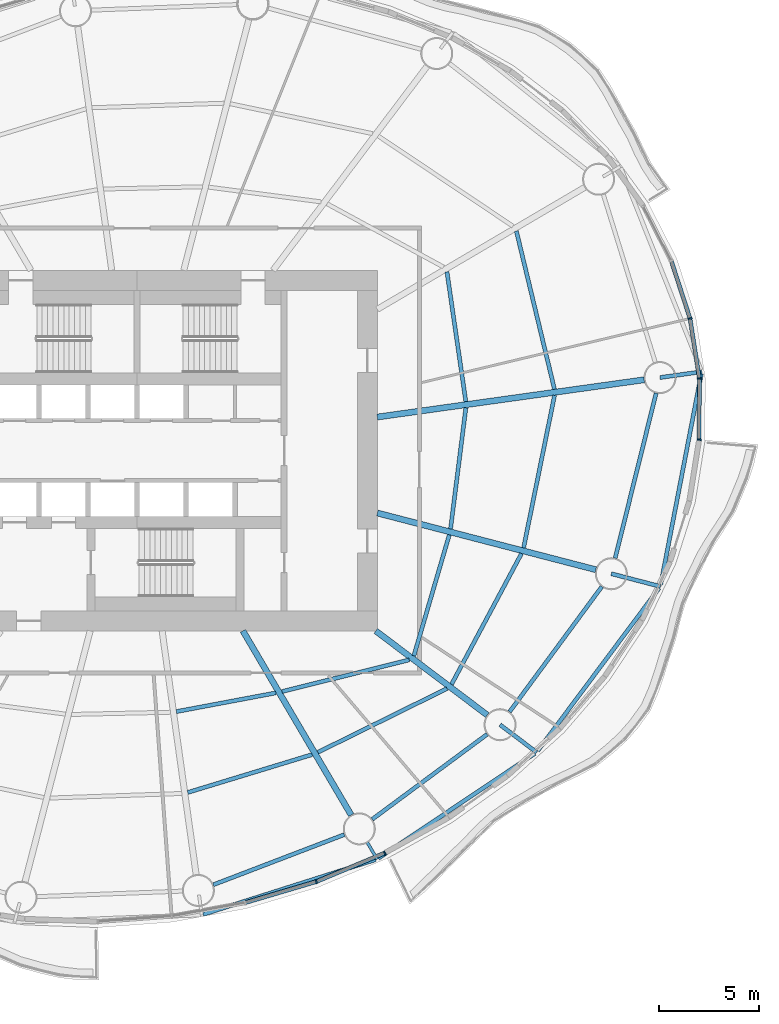
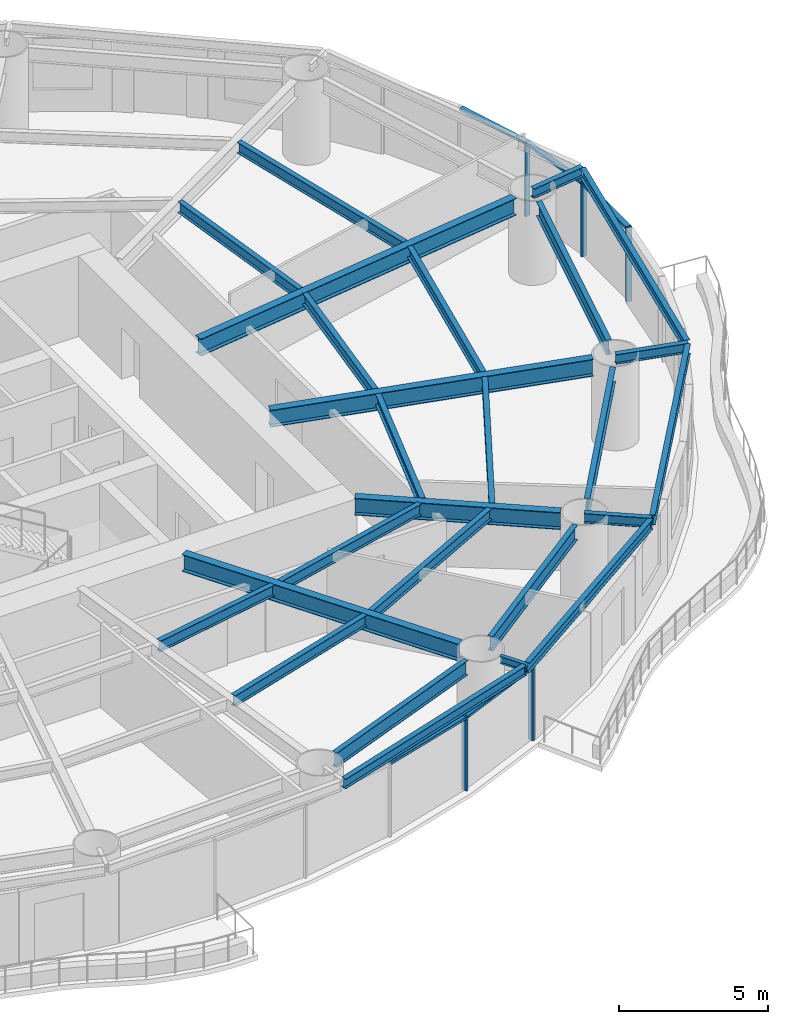
# One storey, part 4 of 16: 26 beams, 10 members, 5 elements without a shape of their own.
"""IFC4 building model written with IfcOpenShell, lengths in metres."""

from ifc_helpers import new_model, si_unit, direction, frame, origin, origin_2d, place, context, subcontext, project, spatial, rectangle, i_section, extrude, material, material_profile, profile_set, type_object, element, aggregate, save


model = new_model("IFC4")

# Units and contexts
model_context = context("Model", 3, precision=1e-05, world=origin(), true_north=direction((0.0, 1.0)))
body_context = subcontext(model_context, "Body", "Model", "MODEL_VIEW")
ifc_project = project(units=[si_unit("LENGTHUNIT", "METRE"), si_unit("AREAUNIT", "SQUARE_METRE"), si_unit("VOLUMEUNIT", "CUBIC_METRE"), si_unit("PLANEANGLEUNIT", "RADIAN"), si_unit("MASSUNIT", "GRAM", prefix="KILO")], contexts=[model_context])

# Site, building, storey
site_placement = place(None, origin())
site = spatial("IfcSite", under=ifc_project, at=site_placement, CompositionType="ELEMENT")
building_placement = place(site_placement, origin())
building = spatial("IfcBuilding", under=site, at=building_placement, Name="Vermilion Reach Broadcast Tower", CompositionType="ELEMENT")
storey_placement = place(building_placement, frame((0.0, 0.0, 88.60009765625)))
storey = spatial("IfcBuildingStorey", under=building, at=storey_placement, Name="L19", CompositionType="ELEMENT", Elevation=88.60009765625)

# Beams
ifc_material_1 = material(Name="Steel S355J2", Category="steel")
ifc_material_profile_1 = material_profile(ifc_material_1, i_section(OverallWidth=0.199951171875, OverallDepth=0.39990234375, WebThickness=0.008056640625, FlangeThickness=0.012939453125, at=origin_2d()), Name="S355J2 HN 400x200x8x13")
ifc_profile_set_1 = profile_set([ifc_material_profile_1], Name="Steel S355J2")
beam_type_1 = type_object("IfcBeamType", Name="EB2 HN 400x200x8x13", PredefinedType="BEAM", material=ifc_profile_set_1)
beam_1_placement = place(storey_placement, frame((-2.69140625, -23.14892578125, 3.25), z_axis=(0.953045019585, 0.302828648983, 0.0), x_axis=(-0.302828648983, 0.953045019585, 0.0)))
element("IfcBeam", 1, at=beam_1_placement, inside=storey, type_object=beam_type_1, Name="Edge beam EB2-12", PredefinedType="BEAM", context=body_context, shape_type="SweptSolid", body=[
    extrude(i_section(OverallWidth=0.199951171875, OverallDepth=0.39990234375, WebThickness=0.008056640625, FlangeThickness=0.012939453125, at=origin_2d()), origin(), (0.0, 0.0, 1.0), 9.029541015625),
])
beam_2_placement = place(storey_placement, frame((6.0498046875, -20.349365234375, 3.25), z_axis=(0.830921863543, 0.556389123443, 0.0), x_axis=(-0.556389123443, 0.830921863543, 0.0)))
element("IfcBeam", 2, at=beam_2_placement, inside=storey, type_object=beam_type_1, Name="Edge beam EB2-13", PredefinedType="BEAM", context=body_context, shape_type="SweptSolid", body=[
    extrude(i_section(OverallWidth=0.199951171875, OverallDepth=0.39990234375, WebThickness=0.008056640625, FlangeThickness=0.012939453125, at=origin_2d()), origin(), (0.0, 0.0, 1.0), 9.400634765625),
])
beam_3_placement = place(storey_placement, frame((14.0087890625, -14.979736328125, 3.25), z_axis=(0.598064758177, 0.801447780599, 0.0), x_axis=(-0.801447780599, 0.598064758177, 0.0)))
element("IfcBeam", 3, at=beam_3_placement, inside=storey, type_object=beam_type_1, Name="Edge beam EB2-14", PredefinedType="BEAM", context=body_context, shape_type="SweptSolid", body=[
    extrude(i_section(OverallWidth=0.199951171875, OverallDepth=0.39990234375, WebThickness=0.008056640625, FlangeThickness=0.012939453125, at=origin_2d()), origin(), (0.0, 0.0, 1.0), 10.121826171875),
])
beam_4_placement = place(storey_placement, frame((20.145751953125, -6.682861328125, 3.25), z_axis=(0.189254914163, 0.981927989959, 0.0), x_axis=(-0.981927989959, 0.189254914163, 0.0)))
element("IfcBeam", 4, at=beam_4_placement, inside=storey, type_object=beam_type_1, Name="Edge beam EB2-15", PredefinedType="BEAM", context=body_context, shape_type="SweptSolid", body=[
    extrude(i_section(OverallWidth=0.199951171875, OverallDepth=0.39990234375, WebThickness=0.008056640625, FlangeThickness=0.012939453125, at=origin_2d()), origin(), (0.0, 0.0, 1.0), 10.709716796875),
])
ifc_material_2 = material(Name="Steel S355J2", Category="steel")
ifc_material_profile_2 = material_profile(ifc_material_2, i_section(OverallWidth=0.300048828125, OverallDepth=0.699951171875, WebThickness=0.012939453125, FlangeThickness=0.02392578125, at=origin_2d()), Name="S355J2 HN 700x300x13x24")
ifc_profile_set_2 = profile_set([ifc_material_profile_2], Name="Steel S355J2")
beam_type_2 = type_object("IfcBeamType", Name="G2 HN 700x300x13x24", PredefinedType="BEAM", material=ifc_profile_set_2)
beam_5_placement = place(storey_placement, frame((-0.709228515625, -9.0, 3.099853515625), z_axis=(0.506783943634, -0.862073102744, 0.0), x_axis=(0.862073102744, 0.506783943634, 0.0)))
element("IfcBeam", 5, at=beam_5_placement, inside=storey, type_object=beam_type_2, Name="Girder G2-13", PredefinedType="BEAM", context=body_context, shape_type="SweptSolid", body=[
    extrude(i_section(OverallWidth=0.300048828125, OverallDepth=0.699951171875, WebThickness=0.012939453125, FlangeThickness=0.02392578125, at=origin_2d()), origin(), (0.0, 0.0, 1.0), 10.661865234375),
])
beam_6_placement = place(storey_placement, frame((5.921630859375, -9.0, 3.099853515625), z_axis=(0.798113534072, -0.602507084382, 0.0), x_axis=(0.602507084382, 0.798113534072, 0.0)))
element("IfcBeam", 6, at=beam_6_placement, inside=storey, type_object=beam_type_2, Name="Girder G2-14", PredefinedType="BEAM", context=body_context, shape_type="SweptSolid", body=[
    extrude(i_section(OverallWidth=0.300048828125, OverallDepth=0.699951171875, WebThickness=0.012939453125, FlangeThickness=0.02392578125, at=origin_2d()), origin(), (0.0, 0.0, 1.0), 6.971923828125),
])
beam_7_placement = place(storey_placement, frame((6.0, -3.114501953125, 3.099853515625), z_axis=(0.967926079816, -0.2512351568, 0.0), x_axis=(0.2512351568, 0.967926079816, 0.0)))
element("IfcBeam", 7, at=beam_7_placement, inside=storey, type_object=beam_type_2, Name="Girder G2-15", PredefinedType="BEAM", context=body_context, shape_type="SweptSolid", body=[
    extrude(i_section(OverallWidth=0.300048828125, OverallDepth=0.699951171875, WebThickness=0.012939453125, FlangeThickness=0.02392578125, at=origin_2d()), origin(), (0.0, 0.0, 1.0), 11.265625),
])
beam_8_placement = place(storey_placement, frame((6.0, 1.67578125, 3.099853515625), z_axis=(0.990389457618, 0.138306623986, 0.0), x_axis=(-0.138306623986, 0.990389457618, 0.0)))
element("IfcBeam", 8, at=beam_8_placement, inside=storey, type_object=beam_type_2, Name="Girder G2-16", PredefinedType="BEAM", context=body_context, shape_type="SweptSolid", body=[
    extrude(i_section(OverallWidth=0.300048828125, OverallDepth=0.699951171875, WebThickness=0.012939453125, FlangeThickness=0.02392578125, at=origin_2d()), origin(), (0.0, 0.0, 1.0), 13.445556640625),
])
ifc_material_3 = material(Name="Steel S355J2", Category="steel")
ifc_material_profile_3 = material_profile(ifc_material_3, i_section(OverallWidth=0.199951171875, OverallDepth=0.39990234375, WebThickness=0.008056640625, FlangeThickness=0.012939453125, at=origin_2d()), Name="S355J2 HN 400x200x8x13")
ifc_profile_set_3 = profile_set([ifc_material_profile_3], Name="Steel S355J2")
beam_type_3 = type_object("IfcBeamType", Name="GC2 HN 400x200x8x13", PredefinedType="BEAM", material=ifc_profile_set_3)
beam_9_placement = place(storey_placement, frame((12.12451171875, -13.6826171875, 3.25), z_axis=(0.798137792915, -0.602474948459, 0.0), x_axis=(0.602474948459, 0.798137792915, 0.0)))
element("IfcBeam", 9, at=beam_9_placement, inside=storey, type_object=beam_type_3, Name="Cantilever girder GC2-14", PredefinedType="BEAM", context=body_context, shape_type="SweptSolid", body=[
    extrude(i_section(OverallWidth=0.199951171875, OverallDepth=0.39990234375, WebThickness=0.008056640625, FlangeThickness=0.012939453125, at=origin_2d()), origin(), (0.0, 0.0, 1.0), 2.285888671875),
])
beam_10_placement = place(storey_placement, frame((17.6787109375, -6.145751953125, 3.25), z_axis=(0.96792303802, -0.251246875545, 0.0), x_axis=(0.251246875545, 0.96792303802, 0.0)))
element("IfcBeam", 10, at=beam_10_placement, inside=storey, type_object=beam_type_3, Name="Cantilever girder GC2-15", PredefinedType="BEAM", context=body_context, shape_type="SweptSolid", body=[
    extrude(i_section(OverallWidth=0.199951171875, OverallDepth=0.39990234375, WebThickness=0.008056640625, FlangeThickness=0.012939453125, at=origin_2d()), origin(), (0.0, 0.0, 1.0), 2.529296875),
])
beam_11_placement = place(storey_placement, frame((20.10888671875, 3.646240234375, 3.25), z_axis=(0.990403787257, 0.138203973125, 0.0), x_axis=(-0.138203973125, 0.990403787257, 0.0)))
element("IfcBeam", 11, at=beam_11_placement, inside=storey, type_object=beam_type_3, Name="Cantilever girder GC2-16", PredefinedType="BEAM", context=body_context, shape_type="SweptSolid", body=[
    extrude(i_section(OverallWidth=0.199951171875, OverallDepth=0.39990234375, WebThickness=0.008056640625, FlangeThickness=0.012939453125, at=origin_2d()), origin(), (0.0, 0.0, 1.0), 2.10400390625),
])
ifc_material_4 = material(Name="Steel S355J2", Category="steel")
ifc_material_profile_4 = material_profile(ifc_material_4, i_section(OverallWidth=0.14990234375, OverallDepth=0.300048828125, WebThickness=0.006591796875, FlangeThickness=0.009033203125, at=origin_2d()), Name="S355J2 HN 300x150x6.5x9")
ifc_profile_set_4 = profile_set([ifc_material_profile_4], Name="Steel S355J2")
beam_type_4 = type_object("IfcBeamType", Name="GS2 HN 300x150x6.5x9", PredefinedType="BEAM", material=ifc_profile_set_4)
beam_12_placement = place(storey_placement, frame((5.480712890625, -19.529052734375, 3.2998046875), z_axis=(0.506539974726, -0.862216477461, 0.0), x_axis=(0.862216477461, 0.506539974726, 0.0)))
element("IfcBeam", 12, at=beam_12_placement, inside=storey, type_object=beam_type_4, Name="Cantilever stub GS2-13", PredefinedType="BEAM", context=body_context, shape_type="SweptSolid", body=[
    extrude(i_section(OverallWidth=0.14990234375, OverallDepth=0.300048828125, WebThickness=0.006591796875, FlangeThickness=0.009033203125, at=origin_2d()), origin(), (0.0, 0.0, 1.0), 1.0),
])
ifc_material_5 = material(Name="Steel S355J2", Category="steel")
ifc_material_profile_5 = material_profile(ifc_material_5, i_section(OverallWidth=0.199951171875, OverallDepth=0.60009765625, WebThickness=0.010986328125, FlangeThickness=0.01708984375, at=origin_2d()), Name="S355J2 HN 600x200x11x17")
ifc_profile_set_5 = profile_set([ifc_material_profile_5], Name="Steel S355J2")
beam_type_5 = type_object("IfcBeamType", Name="RB2 HN 600x200x11x17", PredefinedType="BEAM", material=ifc_profile_set_5)
beam_13_placement = place(storey_placement, frame((-2.186767578125, -21.669677734375, 3.14990234375), z_axis=(0.933939237212, 0.357431813353, 0.0), x_axis=(-0.357431813353, 0.933939237212, 0.0)))
element("IfcBeam", 13, at=beam_13_placement, inside=storey, type_object=beam_type_5, Name="Ring beam RB2-12", PredefinedType="BEAM", context=body_context, shape_type="SweptSolid", body=[
    extrude(i_section(OverallWidth=0.199951171875, OverallDepth=0.60009765625, WebThickness=0.010986328125, FlangeThickness=0.01708984375, at=origin_2d()), origin(), (0.0, 0.0, 1.0), 7.001953125),
])
beam_14_placement = place(storey_placement, frame((5.74267578125, -18.4052734375, 3.14990234375), z_axis=(0.803832742218, 0.594855379515, 0.0), x_axis=(-0.594855379515, 0.803832742218, 0.0)))
element("IfcBeam", 14, at=beam_14_placement, inside=storey, type_object=beam_type_5, Name="Ring beam RB2-13", PredefinedType="BEAM", context=body_context, shape_type="SweptSolid", body=[
    extrude(i_section(OverallWidth=0.199951171875, OverallDepth=0.60009765625, WebThickness=0.010986328125, FlangeThickness=0.01708984375, at=origin_2d()), origin(), (0.0, 0.0, 1.0), 7.13916015625),
])
beam_15_placement = place(storey_placement, frame((12.59912109375, -13.03857421875, 3.14990234375), z_axis=(0.593250534798, 0.80501788984, 0.0), x_axis=(-0.80501788984, 0.593250534798, 0.0)))
element("IfcBeam", 15, at=beam_15_placement, inside=storey, type_object=beam_type_5, Name="Ring beam RB2-14", PredefinedType="BEAM", context=body_context, shape_type="SweptSolid", body=[
    extrude(i_section(OverallWidth=0.199951171875, OverallDepth=0.60009765625, WebThickness=0.010986328125, FlangeThickness=0.01708984375, at=origin_2d()), origin(), (0.0, 0.0, 1.0), 7.76220703125),
])
beam_16_placement = place(storey_placement, frame((17.871337890625, -5.369384765625, 3.14990234375), z_axis=(0.240863809798, 0.970558924089, 0.0), x_axis=(-0.970558924089, 0.240863809798, 0.0)))
element("IfcBeam", 16, at=beam_16_placement, inside=storey, type_object=beam_type_5, Name="Ring beam RB2-15", PredefinedType="BEAM", context=body_context, shape_type="SweptSolid", body=[
    extrude(i_section(OverallWidth=0.199951171875, OverallDepth=0.60009765625, WebThickness=0.010986328125, FlangeThickness=0.01708984375, at=origin_2d()), origin(), (0.0, 0.0, 1.0), 8.489013671875),
])
ifc_material_6 = material(Name="Steel S355J2", Category="steel")
ifc_material_profile_6 = material_profile(ifc_material_6, i_section(OverallWidth=0.199951171875, OverallDepth=0.449951171875, WebThickness=0.009033203125, FlangeThickness=0.013916015625, at=origin_2d()), Name="S355J2 HN 450x200x9x14")
ifc_profile_set_6 = profile_set([ifc_material_profile_6], Name="Steel S355J2")
beam_type_6 = type_object("IfcBeamType", Name="SB2 HN 450x200x9x14", PredefinedType="BEAM", material=ifc_profile_set_6)
beam_17_placement = place(storey_placement, frame((-4.029296875, -13.026611328125, 3.224853515625), z_axis=(0.982782890015, 0.184764149915, 0.0), x_axis=(-0.184764149915, 0.982782890015, 0.0)))
element("IfcBeam", 17, at=beam_17_placement, inside=storey, type_object=beam_type_6, Name="Secondary beam SB2-12-1", PredefinedType="BEAM", context=body_context, shape_type="SweptSolid", body=[
    extrude(i_section(OverallWidth=0.199951171875, OverallDepth=0.449951171875, WebThickness=0.009033203125, FlangeThickness=0.013916015625, at=origin_2d()), origin(), (0.0, 0.0, 1.0), 5.051513671875),
])
beam_18_placement = place(storey_placement, frame((-3.46533203125, -17.064697265625, 3.224853515625), z_axis=(0.956596430605, 0.291415972374, 0.0), x_axis=(-0.291415972374, 0.956596430605, 0.0)))
element("IfcBeam", 18, at=beam_18_placement, inside=storey, type_object=beam_type_6, Name="Secondary beam SB2-12-2", PredefinedType="BEAM", context=body_context, shape_type="SweptSolid", body=[
    extrude(i_section(OverallWidth=0.199951171875, OverallDepth=0.449951171875, WebThickness=0.009033203125, FlangeThickness=0.013916015625, at=origin_2d()), origin(), (0.0, 0.0, 1.0), 6.49267578125),
])
beam_19_placement = place(storey_placement, frame((1.24365234375, -12.026123046875, 3.224853515625), z_axis=(0.970396717612, 0.241516480695, 0.0), x_axis=(-0.241516480695, 0.970396717612, 0.0)))
element("IfcBeam", 19, at=beam_19_placement, inside=storey, type_object=beam_type_6, Name="Secondary beam SB2-13-1", PredefinedType="BEAM", context=body_context, shape_type="SweptSolid", body=[
    extrude(i_section(OverallWidth=0.199951171875, OverallDepth=0.449951171875, WebThickness=0.009033203125, FlangeThickness=0.013916015625, at=origin_2d()), origin(), (0.0, 0.0, 1.0), 6.539306640625),
])
beam_20_placement = place(storey_placement, frame((3.02783203125, -15.06103515625, 3.224853515625), z_axis=(0.896648255868, 0.442743611189, 0.0), x_axis=(-0.442743611189, 0.896648255868, 0.0)))
element("IfcBeam", 20, at=beam_20_placement, inside=storey, type_object=beam_type_6, Name="Secondary beam SB2-13-2", PredefinedType="BEAM", context=body_context, shape_type="SweptSolid", body=[
    extrude(i_section(OverallWidth=0.199951171875, OverallDepth=0.449951171875, WebThickness=0.009033203125, FlangeThickness=0.013916015625, at=origin_2d()), origin(), (0.0, 0.0, 1.0), 7.19677734375),
])
beam_21_placement = place(storey_placement, frame((7.821533203125, -10.246337890625, 3.224853515625), z_axis=(0.281175657723, 0.959656318431, 0.0), x_axis=(-0.959656318431, 0.281175657723, 0.0)))
element("IfcBeam", 21, at=beam_21_placement, inside=storey, type_object=beam_type_6, Name="Secondary beam SB2-14-1", PredefinedType="BEAM", context=body_context, shape_type="SweptSolid", body=[
    extrude(i_section(OverallWidth=0.199951171875, OverallDepth=0.449951171875, WebThickness=0.009033203125, FlangeThickness=0.013916015625, at=origin_2d()), origin(), (0.0, 0.0, 1.0), 6.298583984375),
])
beam_22_placement = place(storey_placement, frame((9.702880859375, -11.66650390625, 3.224853515625), z_axis=(0.471821551693, 0.881694064491, 0.0), x_axis=(-0.881694064491, 0.471821551693, 0.0)))
element("IfcBeam", 22, at=beam_22_placement, inside=storey, type_object=beam_type_6, Name="Secondary beam SB2-14-2", PredefinedType="BEAM", context=body_context, shape_type="SweptSolid", body=[
    extrude(i_section(OverallWidth=0.199951171875, OverallDepth=0.449951171875, WebThickness=0.009033203125, FlangeThickness=0.013916015625, at=origin_2d()), origin(), (0.0, 0.0, 1.0), 7.405029296875),
])
beam_23_placement = place(storey_placement, frame((9.65380859375, -3.907958984375, 3.224853515625), z_axis=(0.125557241128, 0.992086376885, 0.0), x_axis=(-0.992086376885, 0.125557241128, 0.0)))
element("IfcBeam", 23, at=beam_23_placement, inside=storey, type_object=beam_type_6, Name="Secondary beam SB2-15-1", PredefinedType="BEAM", context=body_context, shape_type="SweptSolid", body=[
    extrude(i_section(OverallWidth=0.199951171875, OverallDepth=0.449951171875, WebThickness=0.009033203125, FlangeThickness=0.013916015625, at=origin_2d()), origin(), (0.0, 0.0, 1.0), 6.097900390625),
])
beam_24_placement = place(storey_placement, frame((13.29931640625, -4.854248046875, 3.224853515625), z_axis=(0.19906416804, 0.979986457561, 0.0), x_axis=(-0.979986457561, 0.19906416804, 0.0)))
element("IfcBeam", 24, at=beam_24_placement, inside=storey, type_object=beam_type_6, Name="Secondary beam SB2-15-2", PredefinedType="BEAM", context=body_context, shape_type="SweptSolid", body=[
    extrude(i_section(OverallWidth=0.199951171875, OverallDepth=0.449951171875, WebThickness=0.009033203125, FlangeThickness=0.013916015625, at=origin_2d()), origin(), (0.0, 0.0, 1.0), 7.76953125),
])
beam_25_placement = place(storey_placement, frame((10.417236328125, 2.444091796875, 3.224853515625), z_axis=(-0.143973706518, 0.989581513485, 0.0), x_axis=(-0.989581513485, -0.143973706518, 0.0)))
element("IfcBeam", 25, at=beam_25_placement, inside=storey, type_object=beam_type_6, Name="Secondary beam SB2-16-1", PredefinedType="BEAM", context=body_context, shape_type="SweptSolid", body=[
    extrude(i_section(OverallWidth=0.199951171875, OverallDepth=0.449951171875, WebThickness=0.009033203125, FlangeThickness=0.013916015625, at=origin_2d()), origin(), (0.0, 0.0, 1.0), 6.547119140625),
])
beam_26_placement = place(storey_placement, frame((14.84228515625, 3.06201171875, 3.224853515625), z_axis=(-0.234260568382, 0.972173845617, 0.0), x_axis=(-0.972173845617, -0.234260568382, 0.0)))
element("IfcBeam", 26, at=beam_26_placement, inside=storey, type_object=beam_type_6, Name="Secondary beam SB2-16-2", PredefinedType="BEAM", context=body_context, shape_type="SweptSolid", body=[
    extrude(i_section(OverallWidth=0.199951171875, OverallDepth=0.449951171875, WebThickness=0.009033203125, FlangeThickness=0.013916015625, at=origin_2d()), origin(), (0.0, 0.0, 1.0), 8.123779296875),
])

# Curtain wall, member
ifc_material_7 = material(Name="Low-e laminated clear glass in aluminium frame", Category="aluminium")
curtain_wall_type = type_object("IfcCurtainWallType", Name="Slot curtain wall", PredefinedType="NOTDEFINED", material=ifc_material_7)
placement = place(storey_placement, origin())
curtain_wall_1 = element("IfcCurtainWall", 27, at=placement, inside=storey, type_object=curtain_wall_type, Name="Slot curtain wall L19 46", PredefinedType="NOTDEFINED")
ifc_material_8 = material(Name="Anodised aluminium", Category="aluminium")
ifc_material_profile_7 = material_profile(ifc_material_8, rectangle(XDim=0.199951171875, YDim=0.080078125, at=origin_2d()), Name="Slot mullion 80 x 200")
ifc_profile_set_7 = profile_set([ifc_material_profile_7], Name="Anodised aluminium")
member_type_1 = type_object("IfcMemberType", Name="Slot mullion 80 x 200", PredefinedType="MULLION", material=ifc_profile_set_7)
member_1_placement = place(storey_placement, frame((22.061279296875, 0.547119140625, 0.0), z_axis=(0.0, 0.0, 1.0), x_axis=(-0.996731910355, 0.080780560043, 0.0)))
member_1 = element("IfcMember", 28, at=member_1_placement, type_object=member_type_1, Name="Slot mullion L19 46", PredefinedType="MULLION", context=body_context, shape_type="SweptSolid", body=[
    extrude(rectangle(XDim=0.199951171875, YDim=0.080078125, at=origin_2d()), origin(), (0.0, 0.0, 1.0), 3.0498046875),
])

curtain_wall_2 = element("IfcCurtainWall", 29, at=placement, inside=storey, type_object=curtain_wall_type, Name="Slot curtain wall L19 47", PredefinedType="NOTDEFINED")
member_2_placement = place(storey_placement, frame((22.072265625, 3.603271484375, 0.0), z_axis=(0.0, 0.0, 1.0), x_axis=(-0.997144259613, -0.075520364941, 0.0)))
member_2 = element("IfcMember", 30, at=member_2_placement, type_object=member_type_1, Name="Slot mullion L19 47", PredefinedType="MULLION", context=body_context, shape_type="SweptSolid", body=[
    extrude(rectangle(XDim=0.199951171875, YDim=0.080078125, at=origin_2d()), origin(), (0.0, 0.0, 1.0), 3.0498046875),
])

curtain_wall_3 = element("IfcCurtainWall", 31, at=placement, inside=storey, type_object=curtain_wall_type, Name="Slot curtain wall L19 00", PredefinedType="NOTDEFINED")
member_3_placement = place(storey_placement, frame((21.605224609375, 6.596923828125, 0.0), z_axis=(0.0, 0.0, 1.0), x_axis=(-0.972613849465, -0.232426977412, 0.0)))
member_3 = element("IfcMember", 32, at=member_3_placement, type_object=member_type_1, Name="Slot mullion L19 00", PredefinedType="MULLION", context=body_context, shape_type="SweptSolid", body=[
    extrude(rectangle(XDim=0.199951171875, YDim=0.080078125, at=origin_2d()), origin(), (0.0, 0.0, 1.0), 3.0498046875),
])

# Curtain wall, members
curtain_wall_4 = element("IfcCurtainWall", 33, at=placement, inside=storey, type_object=curtain_wall_type, Name="Slot curtain wall L19 37", PredefinedType="NOTDEFINED")
member_4_placement = place(storey_placement, frame((2.956787109375, -21.51171875, 0.0), z_axis=(0.0, 0.0, 1.0), x_axis=(-0.335549092517, 0.942022720804, 0.0)))
member_4 = element("IfcMember", 34, at=member_4_placement, type_object=member_type_1, Name="Slot mullion L19 37", PredefinedType="MULLION", context=body_context, shape_type="SweptSolid", body=[
    extrude(rectangle(XDim=0.199951171875, YDim=0.080078125, at=origin_2d()), origin(), (0.0, 0.0, 1.0), 3.0498046875),
])
member_5_placement = place(storey_placement, frame((6.366455078125, -20.085693359375, 0.0), z_axis=(0.0, 0.0, 1.0), x_axis=(-0.435875311744, 0.900007062535, 0.0)))
member_5 = element("IfcMember", 35, at=member_5_placement, type_object=member_type_1, Name="Slot mullion L19 38", PredefinedType="MULLION", context=body_context, shape_type="SweptSolid", body=[
    extrude(rectangle(XDim=0.199951171875, YDim=0.080078125, at=origin_2d()), origin(), (0.0, 0.0, 1.0), 3.0498046875),
])

# Member
ifc_material_9 = material(Name="Anodised aluminium", Category="aluminium")
ifc_material_profile_8 = material_profile(ifc_material_9, rectangle(XDim=0.199951171875, YDim=0.10009765625, at=origin_2d()), Name="Slot transom 200 x 100")
ifc_profile_set_8 = profile_set([ifc_material_profile_8], Name="Anodised aluminium")
member_type_2 = type_object("IfcMemberType", Name="Slot transom 200 x 100", PredefinedType="USERDEFINED", material=ifc_profile_set_8)
member_6_placement = place(storey_placement, frame((22.0615234375, 0.587158203125, 3.0), z_axis=(0.003527459596, 0.999993778495, 0.0), x_axis=(-0.999993778495, 0.003527459596, 0.0)))
member_6 = element("IfcMember", 36, at=member_6_placement, type_object=member_type_2, Name="Slot transom L19 46.1", ObjectType="TRANSOM", PredefinedType="USERDEFINED", context=body_context, shape_type="SweptSolid", body=[
    extrude(rectangle(XDim=0.199951171875, YDim=0.10009765625, at=origin_2d()), origin(), (0.0, 0.0, 1.0), 2.97607421875),
])

aggregate(curtain_wall_1, [member_1, member_6])

member_7_placement = place(storey_placement, frame((22.066162109375, 3.642578125, 3.0), z_axis=(-0.154177438374, 0.988043175927, 0.0), x_axis=(-0.988043175927, -0.154177438374, 0.0)))
member_7 = element("IfcMember", 37, at=member_7_placement, type_object=member_type_2, Name="Slot transom L19 47.1", ObjectType="TRANSOM", PredefinedType="USERDEFINED", context=body_context, shape_type="SweptSolid", body=[
    extrude(rectangle(XDim=0.199951171875, YDim=0.10009765625, at=origin_2d()), origin(), (0.0, 0.0, 1.0), 2.949951171875),
])

aggregate(curtain_wall_2, [member_2, member_7])

member_8_placement = place(storey_placement, frame((21.5927734375, 6.635009765625, 3.0), z_axis=(-0.309217074081, 0.950991483188, 0.0), x_axis=(-0.950991483188, -0.309217074081, 0.0)))
member_8 = element("IfcMember", 38, at=member_8_placement, type_object=member_type_2, Name="Slot transom L19 00.1", ObjectType="TRANSOM", PredefinedType="USERDEFINED", context=body_context, shape_type="SweptSolid", body=[
    extrude(rectangle(XDim=0.199951171875, YDim=0.10009765625, at=origin_2d()), origin(), (0.0, 0.0, 1.0), 2.94970703125),
])

aggregate(curtain_wall_3, [member_3, member_8])

# Curtain wall, member
curtain_wall_5 = element("IfcCurtainWall", 39, at=placement, inside=storey, type_object=curtain_wall_type, Name="Slot curtain wall L19 36", PredefinedType="NOTDEFINED")
member_9_placement = place(storey_placement, frame((-0.568359375, -22.556884765625, 3.0), z_axis=(0.958737818847, 0.28429174225, 0.0), x_axis=(-0.28429174225, 0.958737818847, 0.0)))
member_9 = element("IfcMember", 40, at=member_9_placement, type_object=member_type_2, Name="Slot transom L19 36.1", ObjectType="TRANSOM", PredefinedType="USERDEFINED", context=body_context, shape_type="SweptSolid", body=[
    extrude(rectangle(XDim=0.199951171875, YDim=0.10009765625, at=origin_2d()), origin(), (0.0, 0.0, 1.0), 3.636962890625),
])
aggregate(curtain_wall_5, [member_9])

# Member
member_10_placement = place(storey_placement, frame((2.99365234375, -21.496337890625, 3.0), z_axis=(0.922546663926, 0.385885543756, 0.0), x_axis=(-0.385885543756, 0.922546663926, 0.0)))
member_10 = element("IfcMember", 41, at=member_10_placement, type_object=member_type_2, Name="Slot transom L19 37.1", ObjectType="TRANSOM", PredefinedType="USERDEFINED", context=body_context, shape_type="SweptSolid", body=[
    extrude(rectangle(XDim=0.199951171875, YDim=0.10009765625, at=origin_2d()), origin(), (0.0, 0.0, 1.0), 3.61572265625),
])

aggregate(curtain_wall_4, [member_4, member_5, member_10])

save(model, "model.ifc")
